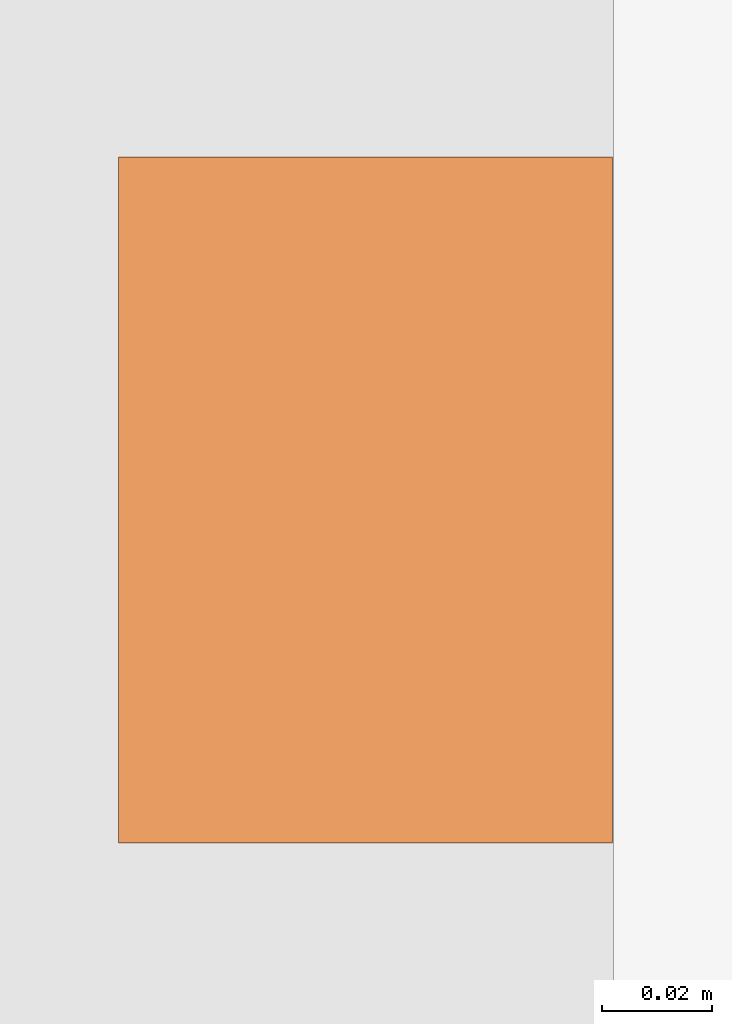
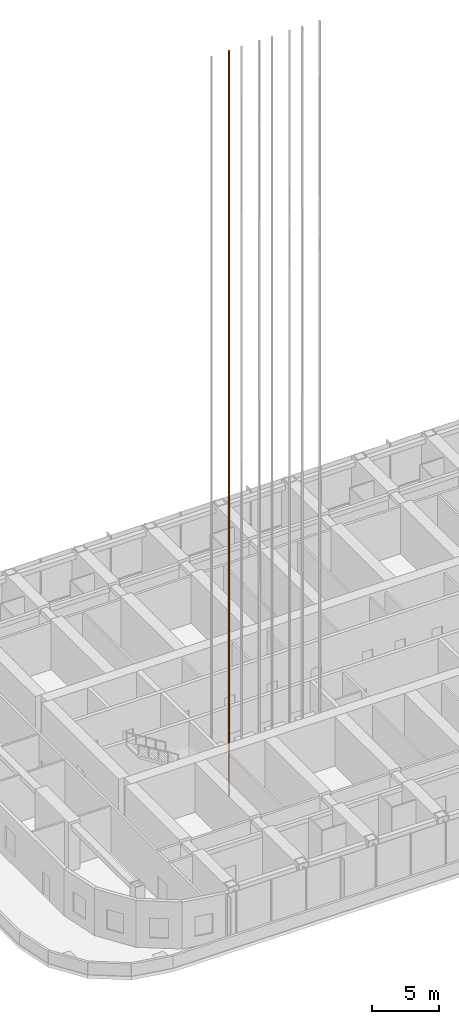
# One storey, part 26 of 32: 1 proxy.
"""IFC4 building model written with IfcOpenShell, lengths in metres."""

from ifc_helpers import new_model, si_unit, direction, frame, origin, origin_2d, place, context, subcontext, project, spatial, rectangle, extrude, material, element, save


model = new_model("IFC4")

# Units and contexts
model_context = context("Model", 3, precision=1e-05, world=origin(), true_north=direction((0.0, 1.0)))
body_context = subcontext(model_context, "Body", "Model", "MODEL_VIEW")
ifc_project = project(units=[si_unit("LENGTHUNIT", "METRE"), si_unit("AREAUNIT", "SQUARE_METRE"), si_unit("VOLUMEUNIT", "CUBIC_METRE"), si_unit("PLANEANGLEUNIT", "RADIAN"), si_unit("MASSUNIT", "GRAM", prefix="KILO")], contexts=[model_context])

# Site, building, storey
site_placement = place(None, origin())
site = spatial("IfcSite", under=ifc_project, at=site_placement, CompositionType="ELEMENT")
building_placement = place(site_placement, origin())
building = spatial("IfcBuilding", under=site, at=building_placement, Name="Orbita Commons", CompositionType="ELEMENT")
storey_placement = place(building_placement, frame((0.0, 0.0, 140.35009765625)))
storey = spatial("IfcBuildingStorey", under=building, at=storey_placement, Name="L34", CompositionType="ELEMENT", Elevation=140.35009765625)

# Proxy
ifc_material = material(Name="Machined steel guide rail", Category="steel")
placement = place(storey_placement, frame((27.300048828125, 28.10009765625, 0.0), z_axis=(0.0, 0.0, 1.0), x_axis=(1.0, 0.0, 0.0)))
proxy_placement = place(placement, frame((0.7548828125, 0.0, -1.800048828125)))
element("IfcBuildingElementProxy", 1, at=proxy_placement, inside=storey, material=ifc_material, Name="P31 guide rail 2", ObjectType="GUIDE RAIL", PredefinedType="USERDEFINED", context=body_context, shape_type="SweptSolid", body=[
    extrude(rectangle(XDim=0.09, YDim=0.125, at=origin_2d()), origin(), (0.0, 0.0, 1.0), 67.64990234375),
])

save(model, "model.ifc")
